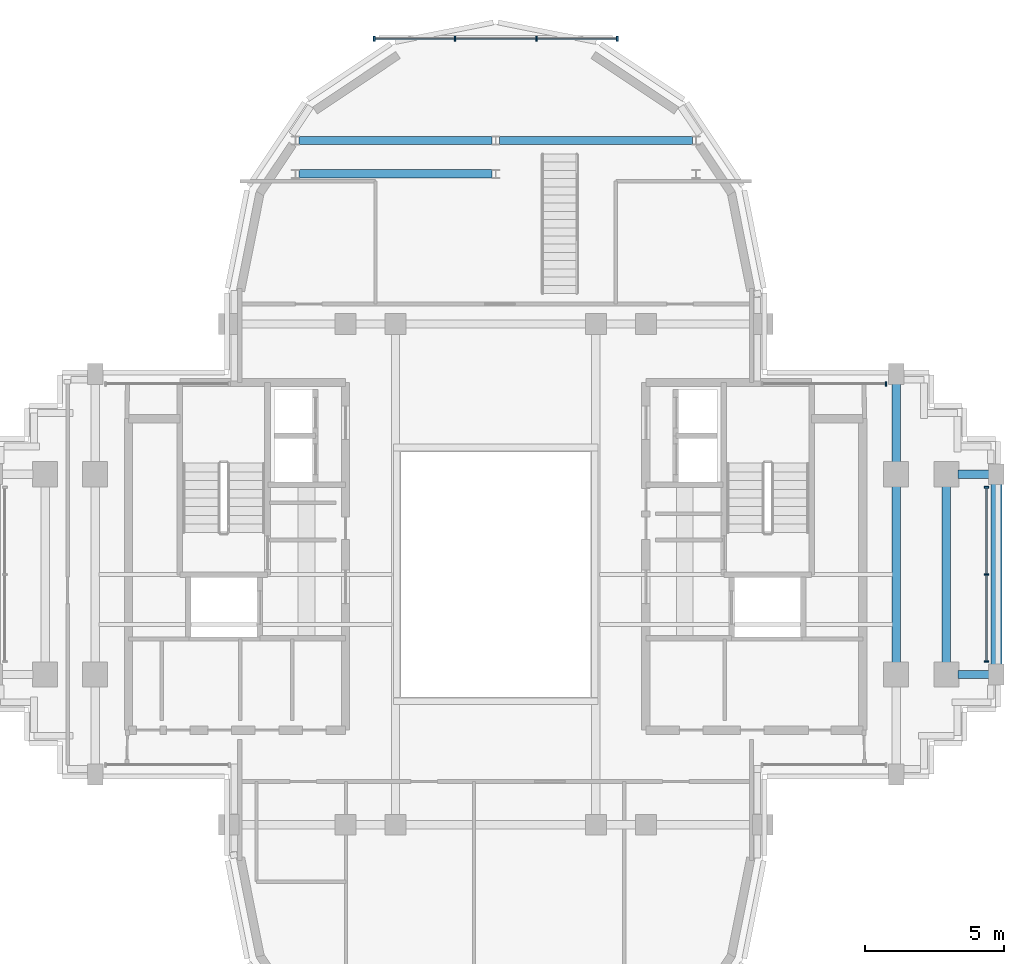
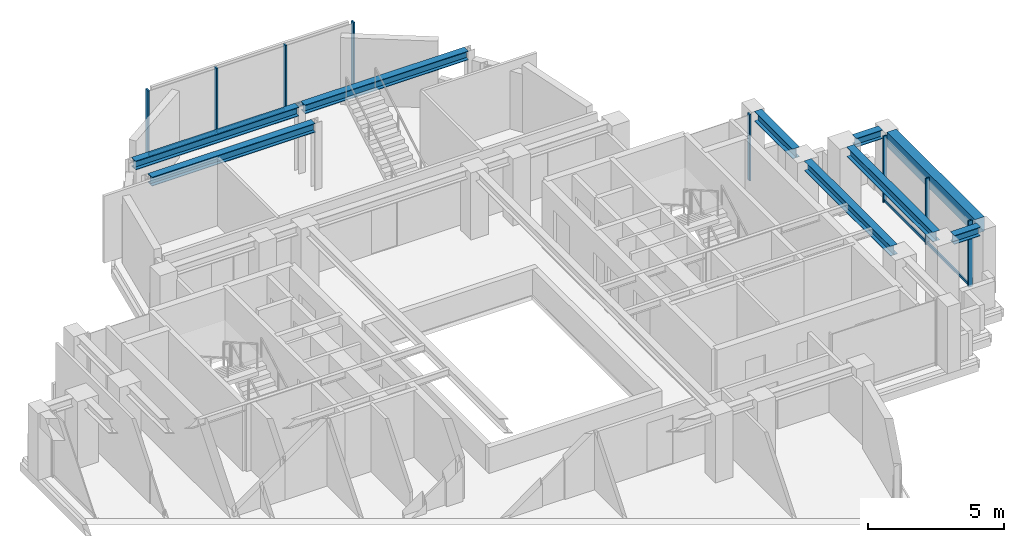
# One storey, part 6 of 13: 13 members, 9 beams, 3 elements without a shape of their own.
"""IFC4 building model written with IfcOpenShell, lengths in metres."""

from ifc_helpers import new_model, si_unit, direction, frame, origin, origin_2d, place, context, subcontext, project, spatial, rectangle, i_section, extrude, source, transform, mapped, material, material_profile, profile_set, type_object, element, aggregate, save


model = new_model("IFC4")

# Units and contexts
model_context = context("Model", 3, precision=1e-05, world=origin(), true_north=direction((0.0, 1.0)))
body_context = subcontext(model_context, "Body", "Model", "MODEL_VIEW")
ifc_project = project(units=[si_unit("LENGTHUNIT", "METRE"), si_unit("AREAUNIT", "SQUARE_METRE"), si_unit("VOLUMEUNIT", "CUBIC_METRE"), si_unit("PLANEANGLEUNIT", "RADIAN"), si_unit("MASSUNIT", "GRAM", prefix="KILO")], contexts=[model_context])

# Site, building, storey
site_placement = place(None, origin())
site = spatial("IfcSite", under=ifc_project, at=site_placement, CompositionType="ELEMENT")
building_placement = place(site_placement, origin())
building = spatial("IfcBuilding", under=site, at=building_placement, Name="Keilestroom Media Tower", CompositionType="ELEMENT")
storey_placement = place(building_placement, frame((0.0, 0.0, 230.0)))
storey = spatial("IfcBuildingStorey", under=building, at=storey_placement, Name="L63", CompositionType="ELEMENT", Elevation=230.0)

# Beams
ifc_material_1 = material(Name="Steel S355", Category="steel")
ifc_material_profile_1 = material_profile(ifc_material_1, i_section(OverallWidth=0.300048828125, OverallDepth=0.39990234375, WebThickness=0.011474609375, FlangeThickness=0.02392578125, at=origin_2d()), Name="HEB 400")
ifc_profile_set_1 = profile_set([ifc_material_profile_1], Name="Steel S355")
beam_type_1 = type_object("IfcBeamType", Name="Primary-Structural-Girder-HEB-400", PredefinedType="BEAM", material=ifc_profile_set_1)
shared_shape_1 = source(origin(), body_context, "Body", "SweptSolid", [
    extrude(i_section(OverallWidth=0.300048828125, OverallDepth=0.39990234375, WebThickness=0.011474609375, FlangeThickness=0.02392578125, at=origin_2d()), origin(), (0.0, 0.0, 1.0), 6.940185546875),
])
for number, where, z_axis, x_axis, name in (
    (1, (-7.070068359375, 14.39990234375, 2.81005859375), (1.0, 0.0, 0.0), (0.0, 1.0, 0.0), "L63 Beam BG-8 BM-L63-EW-021"),
    (2, (-7.070068359375, 15.60009765625, 2.81005859375), (1.0, 0.0, 0.0), (0.0, 1.0, 0.0), "L63 Beam BG-8 BM-L63-EW-023"),
    (3, (0.1298828125, 15.60009765625, 2.81005859375), (1.0, 0.0, 0.0), (0.0, 1.0, 0.0), "L63 Beam BG-8 BM-L63-EW-024"),
):
    element("IfcBeam", number, at=place(storey_placement, frame(where, z_axis=z_axis, x_axis=x_axis)), inside=storey, type_object=beam_type_1, Name=name, PredefinedType="BEAM", context=body_context, shape_type="MappedRepresentation", body=[
        mapped(shared_shape_1, transform((0.0, 0.0, 0.0), x_axis=(1.0, 0.0, 0.0), y_axis=(0.0, 1.0, 0.0), z_axis=(0.0, 0.0, 1.0), scale=1.0)),
    ])
shared_shape_2 = source(origin(), body_context, "Body", "SweptSolid", [
    extrude(i_section(OverallWidth=0.300048828125, OverallDepth=0.39990234375, WebThickness=0.011474609375, FlangeThickness=0.02392578125, at=origin_2d()), origin(), (0.0, 0.0, 1.0), 1.115234375),
])
for number, where, z_axis, x_axis, name in (
    (4, (16.6298828125, -3.60009765625, 2.81005859375), (1.0, 0.0, 0.0), (0.0, 1.0, 0.0), "L63 Beam BG-8 BM-L63-EW-011"),
    (5, (16.6298828125, 3.60009765625, 2.81005859375), (1.0, 0.0, 0.0), (0.0, 1.0, 0.0), "L63 Beam BG-8 BM-L63-EW-015"),
):
    element("IfcBeam", number, at=place(storey_placement, frame(where, z_axis=z_axis, x_axis=x_axis)), inside=storey, type_object=beam_type_1, Name=name, PredefinedType="BEAM", context=body_context, shape_type="MappedRepresentation", body=[
        mapped(shared_shape_2, transform((0.0, 0.0, 0.0), x_axis=(1.0, 0.0, 0.0), y_axis=(0.0, 1.0, 0.0), z_axis=(0.0, 0.0, 1.0), scale=1.0)),
    ])
ifc_material_2 = material(Name="Precast concrete C40/50", Category="concrete")
ifc_material_profile_2 = material_profile(ifc_material_2, rectangle(XDim=0.39990234375, YDim=0.64990234375, at=origin_2d()), Name="PC 400x650")
ifc_profile_set_2 = profile_set([ifc_material_profile_2], Name="Precast concrete C40/50")
beam_type_2 = type_object("IfcBeamType", Name="Perimeter-Spandrel-Beam-PC-400x650", PredefinedType="SPANDREL", material=ifc_profile_set_2)
shared_shape_3 = source(origin(), body_context, "Body", "SweptSolid", [
    extrude(rectangle(XDim=0.39990234375, YDim=0.64990234375, at=origin_2d()), origin(), (0.0, 0.0, 1.0), 6.490234375),
])
beam_1_placement = place(storey_placement, frame((18.0, -3.2451171875, 2.68505859375), z_axis=(0.0, 1.0, 0.0), x_axis=(-1.0, 0.0, 0.0)))
element("IfcBeam", 6, at=beam_1_placement, inside=storey, type_object=beam_type_2, Name="L63 Beam SPB-2 BM-L63-NS-044", PredefinedType="SPANDREL", context=body_context, shape_type="MappedRepresentation", body=[
    mapped(shared_shape_3, transform((0.0, 0.0, 0.0), x_axis=(1.0, 0.0, 0.0), y_axis=(0.0, 1.0, 0.0), z_axis=(0.0, 0.0, 1.0), scale=1.0)),
])
ifc_material_profile_3 = material_profile(ifc_material_1, i_section(OverallWidth=0.300048828125, OverallDepth=0.43994140625, WebThickness=0.011474609375, FlangeThickness=0.02099609375, at=origin_2d()), Name="HEA 450")
ifc_profile_set_3 = profile_set([ifc_material_profile_3], Name="Steel S355")
beam_type_3 = type_object("IfcBeamType", Name="Primary-Structural-Girder-HEA-450", PredefinedType="BEAM", material=ifc_profile_set_3)
shared_shape_4 = source(origin(), body_context, "Body", "SweptSolid", [
    extrude(i_section(OverallWidth=0.300048828125, OverallDepth=0.43994140625, WebThickness=0.011474609375, FlangeThickness=0.02099609375, at=origin_2d()), origin(), (0.0, 0.0, 1.0), 6.33984375),
])
for number, where, z_axis, x_axis, name in (
    (7, (14.39990234375, -3.169921875, 2.7900390625), (0.0, 1.0, 0.0), (-1.0, 0.0, 0.0), "L63 Beam BG-11 BM-L63-NS-041"),
    (8, (16.199951171875, -3.169921875, 2.7900390625), (0.0, 1.0, 0.0), (-1.0, 0.0, 0.0), "L63 Beam BG-11 BM-L63-NS-043"),
):
    element("IfcBeam", number, at=place(storey_placement, frame(where, z_axis=z_axis, x_axis=x_axis)), inside=storey, type_object=beam_type_3, Name=name, PredefinedType="BEAM", context=body_context, shape_type="MappedRepresentation", body=[
        mapped(shared_shape_4, transform((0.0, 0.0, 0.0), x_axis=(1.0, 0.0, 0.0), y_axis=(0.0, 1.0, 0.0), z_axis=(0.0, 0.0, 1.0), scale=1.0)),
    ])
shared_shape_5 = source(origin(), body_context, "Body", "SweptSolid", [
    extrude(i_section(OverallWidth=0.300048828125, OverallDepth=0.43994140625, WebThickness=0.011474609375, FlangeThickness=0.02099609375, at=origin_2d()), origin(), (0.0, 0.0, 1.0), 2.81494140625),
])
beam_2_placement = place(storey_placement, frame((14.39990234375, 4.030029296875, 2.7900390625), z_axis=(0.0, 1.0, 0.0), x_axis=(-1.0, 0.0, 0.0)))
element("IfcBeam", 9, at=beam_2_placement, inside=storey, type_object=beam_type_3, Name="L63 Beam BG-11 BM-L63-NS-042", PredefinedType="BEAM", context=body_context, shape_type="MappedRepresentation", body=[
    mapped(shared_shape_5, transform((0.0, 0.0, 0.0), x_axis=(1.0, 0.0, 0.0), y_axis=(0.0, 1.0, 0.0), z_axis=(0.0, 0.0, 1.0), scale=1.0)),
])

# Curtain wall, members
ifc_material_3 = material(Name="Anodised Aluminium Alloy", Category="aluminium")
curtain_wall_type_1 = type_object("IfcCurtainWallType", Name="Unitised-Curtain-Wall-CW-6", PredefinedType="NOTDEFINED", material=ifc_material_3)
curtain_wall_1_placement = place(storey_placement, origin())
curtain_wall_1 = element("IfcCurtainWall", 10, at=curtain_wall_1_placement, inside=storey, type_object=curtain_wall_type_1, Name="L63 Curtain Wall CW-6 CW-L63-LN-1", PredefinedType="NOTDEFINED")
ifc_material_profile_4 = material_profile(ifc_material_3, rectangle(XDim=0.06494140625, YDim=0.179931640625, at=origin_2d()), Name="ALU MULLION 65x180")
ifc_profile_set_4 = profile_set([ifc_material_profile_4], Name="Anodised Aluminium Alloy")
member_type_1 = type_object("IfcMemberType", Name="Curtain-Wall-Mullion-CW-6", PredefinedType="MULLION", material=ifc_profile_set_4)
shared_shape_6 = source(origin(), body_context, "Body", "SweptSolid", [
    extrude(rectangle(XDim=0.06494140625, YDim=0.179931640625, at=origin_2d()), origin(), (0.0, 0.0, 1.0), 2.97998046875),
])
member_1_placement = place(storey_placement, frame((-4.367431640625, 19.25, 0.0), z_axis=(0.0, 0.0, 1.0), x_axis=(1.0, 0.0, 0.0)))
member_1 = element("IfcMember", 11, at=member_1_placement, type_object=member_type_1, Name="CW-6 Mullion 00", PredefinedType="MULLION", context=body_context, shape_type="MappedRepresentation", body=[
    mapped(shared_shape_6, transform((0.0, 0.0, 0.0), x_axis=(1.0, 0.0, 0.0), y_axis=(0.0, 1.0, 0.0), z_axis=(0.0, 0.0, 1.0), scale=1.0)),
])
member_2_placement = place(storey_placement, frame((-1.466796875, 19.25, 0.0), z_axis=(0.0, 0.0, 1.0), x_axis=(1.0, 0.0, 0.0)))
member_2 = element("IfcMember", 12, at=member_2_placement, type_object=member_type_1, Name="CW-6 Mullion 01", PredefinedType="MULLION", context=body_context, shape_type="MappedRepresentation", body=[
    mapped(shared_shape_6, transform((0.0, 0.0, 0.0), x_axis=(1.0, 0.0, 0.0), y_axis=(0.0, 1.0, 0.0), z_axis=(0.0, 0.0, 1.0), scale=1.0)),
])
member_3_placement = place(storey_placement, frame((1.466796875, 19.25, 0.0), z_axis=(0.0, 0.0, 1.0), x_axis=(1.0, 0.0, 0.0)))
member_3 = element("IfcMember", 13, at=member_3_placement, type_object=member_type_1, Name="CW-6 Mullion 02", PredefinedType="MULLION", context=body_context, shape_type="MappedRepresentation", body=[
    mapped(shared_shape_6, transform((0.0, 0.0, 0.0), x_axis=(1.0, 0.0, 0.0), y_axis=(0.0, 1.0, 0.0), z_axis=(0.0, 0.0, 1.0), scale=1.0)),
])
member_4_placement = place(storey_placement, frame((4.367431640625, 19.25, 0.0), z_axis=(0.0, 0.0, 1.0), x_axis=(1.0, 0.0, 0.0)))
member_4 = element("IfcMember", 14, at=member_4_placement, type_object=member_type_1, Name="CW-6 Mullion 03", PredefinedType="MULLION", context=body_context, shape_type="MappedRepresentation", body=[
    mapped(shared_shape_6, transform((0.0, 0.0, 0.0), x_axis=(1.0, 0.0, 0.0), y_axis=(0.0, 1.0, 0.0), z_axis=(0.0, 0.0, 1.0), scale=1.0)),
])
ifc_material_profile_5 = material_profile(ifc_material_3, rectangle(XDim=0.06494140625, YDim=0.14990234375, at=origin_2d()), Name="ALU TRANSOM 65x150")
ifc_profile_set_5 = profile_set([ifc_material_profile_5], Name="Anodised Aluminium Alloy")
member_type_2 = type_object("IfcMemberType", Name="Curtain-Wall-Transom-CW-6", PredefinedType="USERDEFINED", material=ifc_profile_set_5)
shared_shape_7 = source(origin(), body_context, "Body", "SweptSolid", [
    extrude(rectangle(XDim=0.06494140625, YDim=0.14990234375, at=origin_2d()), origin(), (0.0, 0.0, 1.0), 2.839599609375),
])
member_5_placement = place(storey_placement, frame((-4.3369140625, 19.25, 0.074951171875), z_axis=(1.0, 0.0, 0.0), x_axis=(0.0, 1.0, 0.0)))
member_5 = element("IfcMember", 15, at=member_5_placement, type_object=member_type_2, Name="CW-6 Transom 00.1", ObjectType="TRANSOM", PredefinedType="USERDEFINED", context=body_context, shape_type="MappedRepresentation", body=[
    mapped(shared_shape_7, transform((0.0, 0.0, 0.0), x_axis=(1.0, 0.0, 0.0), y_axis=(0.0, 1.0, 0.0), z_axis=(0.0, 0.0, 1.0), scale=1.0)),
])
member_6_placement = place(storey_placement, frame((1.497314453125, 19.25, 0.074951171875), z_axis=(1.0, 0.0, 0.0), x_axis=(0.0, 1.0, 0.0)))
member_6 = element("IfcMember", 16, at=member_6_placement, type_object=member_type_2, Name="CW-6 Transom 02.1", ObjectType="TRANSOM", PredefinedType="USERDEFINED", context=body_context, shape_type="MappedRepresentation", body=[
    mapped(shared_shape_7, transform((0.0, 0.0, 0.0), x_axis=(1.0, 0.0, 0.0), y_axis=(0.0, 1.0, 0.0), z_axis=(0.0, 0.0, 1.0), scale=1.0)),
])
shared_shape_8 = source(origin(), body_context, "Body", "SweptSolid", [
    extrude(rectangle(XDim=0.06494140625, YDim=0.14990234375, at=origin_2d()), origin(), (0.0, 0.0, 1.0), 2.87255859375),
])
member_7_placement = place(storey_placement, frame((-1.436279296875, 19.25, 0.074951171875), z_axis=(1.0, 0.0, 0.0), x_axis=(0.0, 1.0, 0.0)))
member_7 = element("IfcMember", 17, at=member_7_placement, type_object=member_type_2, Name="CW-6 Transom 01.1", ObjectType="TRANSOM", PredefinedType="USERDEFINED", context=body_context, shape_type="MappedRepresentation", body=[
    mapped(shared_shape_8, transform((0.0, 0.0, 0.0), x_axis=(1.0, 0.0, 0.0), y_axis=(0.0, 1.0, 0.0), z_axis=(0.0, 0.0, 1.0), scale=1.0)),
])
aggregate(curtain_wall_1, [member_1, member_2, member_3, member_4, member_5, member_7, member_6])

curtain_wall_type_2 = type_object("IfcCurtainWallType", Name="Unitised-Curtain-Wall-CW-4", PredefinedType="NOTDEFINED", material=ifc_material_3)
curtain_wall_2_placement = place(storey_placement, origin())
curtain_wall_2 = element("IfcCurtainWall", 18, at=curtain_wall_2_placement, inside=storey, type_object=curtain_wall_type_2, Name="L63 Curtain Wall CW-4 CW-L63-E-1", PredefinedType="NOTDEFINED")
ifc_material_profile_6 = material_profile(ifc_material_3, rectangle(XDim=0.06005859375, YDim=0.159912109375, at=origin_2d()), Name="ALU MULLION 60x160")
ifc_profile_set_6 = profile_set([ifc_material_profile_6], Name="Anodised Aluminium Alloy")
member_type_3 = type_object("IfcMemberType", Name="Curtain-Wall-Mullion-CW-4", PredefinedType="MULLION", material=ifc_profile_set_6)
shared_shape_9 = source(origin(), body_context, "Body", "SweptSolid", [
    extrude(rectangle(XDim=0.06005859375, YDim=0.159912109375, at=origin_2d()), origin(), (0.0, 0.0, 1.0), 2.97998046875),
])
member_8_placement = place(storey_placement, frame((17.64990234375, -3.135009765625, 0.0), z_axis=(0.0, 0.0, 1.0), x_axis=(0.0, 1.0, 0.0)))
member_8 = element("IfcMember", 19, at=member_8_placement, type_object=member_type_3, Name="CW-4 Mullion 00", PredefinedType="MULLION", context=body_context, shape_type="MappedRepresentation", body=[
    mapped(shared_shape_9, transform((0.0, 0.0, 0.0), x_axis=(1.0, 0.0, 0.0), y_axis=(0.0, 1.0, 0.0), z_axis=(0.0, 0.0, 1.0), scale=1.0)),
])
member_9_placement = place(storey_placement, frame((17.64990234375, 0.0, 0.0), z_axis=(0.0, 0.0, 1.0), x_axis=(0.0, 1.0, 0.0)))
member_9 = element("IfcMember", 20, at=member_9_placement, type_object=member_type_3, Name="CW-4 Mullion 01", PredefinedType="MULLION", context=body_context, shape_type="MappedRepresentation", body=[
    mapped(shared_shape_9, transform((0.0, 0.0, 0.0), x_axis=(1.0, 0.0, 0.0), y_axis=(0.0, 1.0, 0.0), z_axis=(0.0, 0.0, 1.0), scale=1.0)),
])
member_10_placement = place(storey_placement, frame((17.64990234375, 3.135009765625, 0.0), z_axis=(0.0, 0.0, 1.0), x_axis=(0.0, 1.0, 0.0)))
member_10 = element("IfcMember", 21, at=member_10_placement, type_object=member_type_3, Name="CW-4 Mullion 02", PredefinedType="MULLION", context=body_context, shape_type="MappedRepresentation", body=[
    mapped(shared_shape_9, transform((0.0, 0.0, 0.0), x_axis=(1.0, 0.0, 0.0), y_axis=(0.0, 1.0, 0.0), z_axis=(0.0, 0.0, 1.0), scale=1.0)),
])

# Curtain wall, member
curtain_wall_3_placement = place(storey_placement, origin())
curtain_wall_3 = element("IfcCurtainWall", 22, at=curtain_wall_3_placement, inside=storey, type_object=curtain_wall_type_2, Name="L63 Curtain Wall CW-4 CW-L63-NE-1", PredefinedType="NOTDEFINED")
member_11_placement = place(storey_placement, frame((14.034912109375, 6.85009765625, 0.0), z_axis=(0.0, 0.0, 1.0), x_axis=(1.0, 0.0, 0.0)))
member_11 = element("IfcMember", 23, at=member_11_placement, type_object=member_type_3, Name="CW-4 Mullion 01", PredefinedType="MULLION", context=body_context, shape_type="MappedRepresentation", body=[
    mapped(shared_shape_9, transform((0.0, 0.0, 0.0), x_axis=(1.0, 0.0, 0.0), y_axis=(0.0, 1.0, 0.0), z_axis=(0.0, 0.0, 1.0), scale=1.0)),
])
aggregate(curtain_wall_3, [member_11])

# Member
ifc_material_profile_7 = material_profile(ifc_material_3, rectangle(XDim=0.06005859375, YDim=0.1298828125, at=origin_2d()), Name="ALU TRANSOM 60x130")
ifc_profile_set_7 = profile_set([ifc_material_profile_7], Name="Anodised Aluminium Alloy")
member_type_4 = type_object("IfcMemberType", Name="Curtain-Wall-Transom-CW-4", PredefinedType="USERDEFINED", material=ifc_profile_set_7)
shared_shape_10 = source(origin(), body_context, "Body", "SweptSolid", [
    extrude(rectangle(XDim=0.06005859375, YDim=0.1298828125, at=origin_2d()), origin(), (0.0, 0.0, 1.0), 3.078857421875),
])
member_12_placement = place(storey_placement, frame((17.64990234375, -3.10693359375, 0.06494140625), z_axis=(0.0, 1.0, 0.0), x_axis=(-1.0, 0.0, 0.0)))
member_12 = element("IfcMember", 24, at=member_12_placement, type_object=member_type_4, Name="CW-4 Transom 00.1", ObjectType="TRANSOM", PredefinedType="USERDEFINED", context=body_context, shape_type="MappedRepresentation", body=[
    mapped(shared_shape_10, transform((0.0, 0.0, 0.0), x_axis=(1.0, 0.0, 0.0), y_axis=(0.0, 1.0, 0.0), z_axis=(0.0, 0.0, 1.0), scale=1.0)),
])

member_13_placement = place(storey_placement, frame((17.64990234375, 0.028076171875, 0.06494140625), z_axis=(0.0, 1.0, 0.0), x_axis=(-1.0, 0.0, 0.0)))
member_13 = element("IfcMember", 25, at=member_13_placement, type_object=member_type_4, Name="CW-4 Transom 01.1", ObjectType="TRANSOM", PredefinedType="USERDEFINED", context=body_context, shape_type="MappedRepresentation", body=[
    mapped(shared_shape_10, transform((0.0, 0.0, 0.0), x_axis=(1.0, 0.0, 0.0), y_axis=(0.0, 1.0, 0.0), z_axis=(0.0, 0.0, 1.0), scale=1.0)),
])

aggregate(curtain_wall_2, [member_8, member_9, member_10, member_12, member_13])

save(model, "model.ifc")
